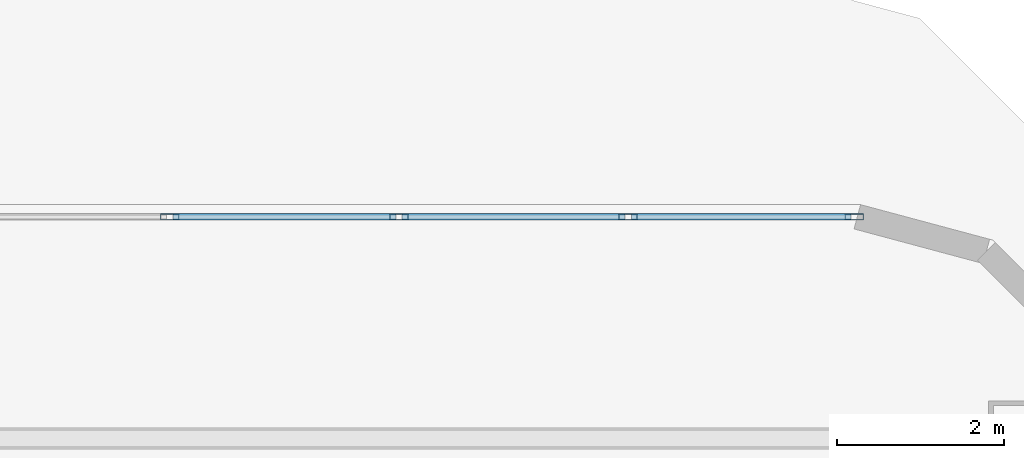
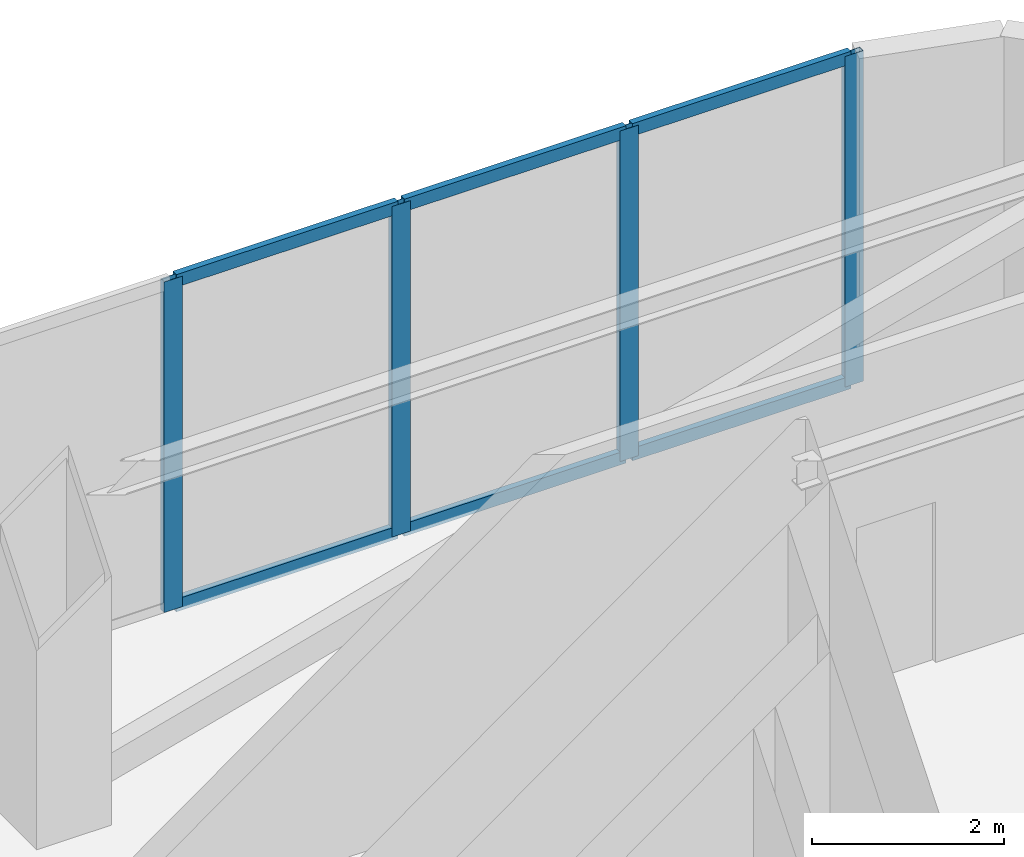
# One storey, part 7 of 14: 10 members, 1 element without a shape of its own.
"""IFC4 building model written with IfcOpenShell, lengths in metres."""

from ifc_helpers import new_model, si_unit, direction, frame, origin, origin_2d, place, context, subcontext, project, spatial, hollow_rectangle, extrude, material, layer, layer_set, material_profile, profile_set, type_object, element, aggregate, save


model = new_model("IFC4")

# Units and contexts
model_context = context("Model", 3, precision=1e-05, world=origin(), true_north=direction((0.0, 1.0)))
body_context = subcontext(model_context, "Body", "Model", "MODEL_VIEW")
ifc_project = project(units=[si_unit("LENGTHUNIT", "METRE"), si_unit("AREAUNIT", "SQUARE_METRE"), si_unit("VOLUMEUNIT", "CUBIC_METRE"), si_unit("PLANEANGLEUNIT", "RADIAN"), si_unit("MASSUNIT", "GRAM", prefix="KILO")], contexts=[model_context])

# Site, building, storey
site_placement = place(None, origin())
site = spatial("IfcSite", under=ifc_project, at=site_placement, CompositionType="ELEMENT")
building_placement = place(site_placement, origin())
building = spatial("IfcBuilding", under=site, at=building_placement, Name="Kiyonajd Concourse Tower", CompositionType="ELEMENT")
storey_placement = place(building_placement, frame((0.0, 0.0, 354.89990234375)))
storey = spatial("IfcBuildingStorey", under=building, at=storey_placement, Name="L89", CompositionType="ELEMENT", Elevation=354.89990234375)

# Curtain wall, members
ifc_material = material(Name="Thermally Broken Anodised Aluminium", Category="aluminium")
ifc_layer = layer(ifc_material, 0.179931640625)
ifc_layer_set = layer_set([ifc_layer], Name="Thermally Broken Anodised Aluminium")
curtain_wall_type = type_object("IfcCurtainWallType", Name="CW-SYS-06", PredefinedType="NOTDEFINED", material=ifc_layer_set)
curtain_wall_placement = place(storey_placement, origin())
curtain_wall = element("IfcCurtainWall", 1, at=curtain_wall_placement, inside=storey, type_object=curtain_wall_type, Name="L89 Unitised Curtain Wall CW6", PredefinedType="NOTDEFINED")
ifc_material_profile_1 = material_profile(ifc_material, hollow_rectangle(XDim=0.074951171875, YDim=0.219970703125, WallThickness=0.0048828125, at=origin_2d()), Name="MULL-75x220")
ifc_profile_set_1 = profile_set([ifc_material_profile_1], Name="Thermally Broken Anodised Aluminium")
member_type_1 = type_object("IfcMemberType", Name="MB-CW-MULL2", PredefinedType="MULLION", material=ifc_profile_set_1)
member_1_placement = place(storey_placement, frame((59.35986328125, 50.25, 0.0), z_axis=(0.0, 0.0, 1.0), x_axis=(0.0, 1.0, 0.0)))
member_1 = element("IfcMember", 2, at=member_1_placement, type_object=member_type_1, Name="CW6 mullion 2", PredefinedType="MULLION", context=body_context, shape_type="SweptSolid", body=[
    extrude(hollow_rectangle(XDim=0.074951171875, YDim=0.219970703125, WallThickness=0.0048828125, at=origin_2d()), origin(), (0.0, 0.0, 1.0), 4.2001953125),
])
member_2_placement = place(storey_placement, frame((62.10009765625, 50.25, 0.0), z_axis=(0.0, 0.0, 1.0), x_axis=(0.0, 1.0, 0.0)))
member_2 = element("IfcMember", 3, at=member_2_placement, type_object=member_type_1, Name="CW6 mullion 3", PredefinedType="MULLION", context=body_context, shape_type="SweptSolid", body=[
    extrude(hollow_rectangle(XDim=0.074951171875, YDim=0.219970703125, WallThickness=0.0048828125, at=origin_2d()), origin(), (0.0, 0.0, 1.0), 4.2001953125),
])
member_3_placement = place(storey_placement, frame((64.840087890625, 50.25, 0.0), z_axis=(0.0, 0.0, 1.0), x_axis=(0.0, 1.0, 0.0)))
member_3 = element("IfcMember", 4, at=member_3_placement, type_object=member_type_1, Name="CW6 mullion 4", PredefinedType="MULLION", context=body_context, shape_type="SweptSolid", body=[
    extrude(hollow_rectangle(XDim=0.074951171875, YDim=0.219970703125, WallThickness=0.0048828125, at=origin_2d()), origin(), (0.0, 0.0, 1.0), 4.2001953125),
])
member_4_placement = place(storey_placement, frame((67.542724609375, 50.25, 0.0), z_axis=(0.0, 0.0, 1.0), x_axis=(0.0, 1.0, 0.0)))
member_4 = element("IfcMember", 5, at=member_4_placement, type_object=member_type_1, Name="CW6 mullion 5", PredefinedType="MULLION", context=body_context, shape_type="SweptSolid", body=[
    extrude(hollow_rectangle(XDim=0.074951171875, YDim=0.219970703125, WallThickness=0.0048828125, at=origin_2d()), origin(), (0.0, 0.0, 1.0), 4.2001953125),
])
ifc_material_profile_2 = material_profile(ifc_material, hollow_rectangle(XDim=0.074951171875, YDim=0.159912109375, WallThickness=0.0048828125, at=origin_2d()), Name="TRAN-75x160")
ifc_profile_set_2 = profile_set([ifc_material_profile_2], Name="Thermally Broken Anodised Aluminium")
member_type_2 = type_object("IfcMemberType", Name="MB-CW-TRAN2", PredefinedType="USERDEFINED", material=ifc_profile_set_2)
member_5_placement = place(storey_placement, frame((59.3974609375, 50.25, 0.03759765625), z_axis=(1.0, 0.0, 0.0), x_axis=(0.0, 1.0, 0.0)))
member_5 = element("IfcMember", 6, at=member_5_placement, type_object=member_type_2, Name="CW6 transom 2.1", ObjectType="TRANSOM", PredefinedType="USERDEFINED", context=body_context, shape_type="SweptSolid", body=[
    extrude(hollow_rectangle(XDim=0.074951171875, YDim=0.159912109375, WallThickness=0.0048828125, at=origin_2d()), origin(), (0.0, 0.0, 1.0), 2.6650390625),
])
member_6_placement = place(storey_placement, frame((59.3974609375, 50.25, 4.16259765625), z_axis=(1.0, 0.0, 0.0), x_axis=(0.0, 1.0, 0.0)))
member_6 = element("IfcMember", 7, at=member_6_placement, type_object=member_type_2, Name="CW6 transom 2.2", ObjectType="TRANSOM", PredefinedType="USERDEFINED", context=body_context, shape_type="SweptSolid", body=[
    extrude(hollow_rectangle(XDim=0.074951171875, YDim=0.159912109375, WallThickness=0.0048828125, at=origin_2d()), origin(), (0.0, 0.0, 1.0), 2.6650390625),
])
member_7_placement = place(storey_placement, frame((62.137451171875, 50.25, 0.03759765625), z_axis=(1.0, 0.0, 0.0), x_axis=(0.0, 1.0, 0.0)))
member_7 = element("IfcMember", 8, at=member_7_placement, type_object=member_type_2, Name="CW6 transom 3.1", ObjectType="TRANSOM", PredefinedType="USERDEFINED", context=body_context, shape_type="SweptSolid", body=[
    extrude(hollow_rectangle(XDim=0.074951171875, YDim=0.159912109375, WallThickness=0.0048828125, at=origin_2d()), origin(), (0.0, 0.0, 1.0), 2.6650390625),
])
member_8_placement = place(storey_placement, frame((62.137451171875, 50.25, 4.16259765625), z_axis=(1.0, 0.0, 0.0), x_axis=(0.0, 1.0, 0.0)))
member_8 = element("IfcMember", 9, at=member_8_placement, type_object=member_type_2, Name="CW6 transom 3.2", ObjectType="TRANSOM", PredefinedType="USERDEFINED", context=body_context, shape_type="SweptSolid", body=[
    extrude(hollow_rectangle(XDim=0.074951171875, YDim=0.159912109375, WallThickness=0.0048828125, at=origin_2d()), origin(), (0.0, 0.0, 1.0), 2.6650390625),
])
member_9_placement = place(storey_placement, frame((64.877685546875, 50.25, 0.03759765625), z_axis=(1.0, 0.0, 0.0), x_axis=(0.0, 1.0, 0.0)))
member_9 = element("IfcMember", 10, at=member_9_placement, type_object=member_type_2, Name="CW6 transom 4.1", ObjectType="TRANSOM", PredefinedType="USERDEFINED", context=body_context, shape_type="SweptSolid", body=[
    extrude(hollow_rectangle(XDim=0.074951171875, YDim=0.159912109375, WallThickness=0.0048828125, at=origin_2d()), origin(), (0.0, 0.0, 1.0), 2.62744140625),
])
member_10_placement = place(storey_placement, frame((64.877685546875, 50.25, 4.16259765625), z_axis=(1.0, 0.0, 0.0), x_axis=(0.0, 1.0, 0.0)))
member_10 = element("IfcMember", 11, at=member_10_placement, type_object=member_type_2, Name="CW6 transom 4.2", ObjectType="TRANSOM", PredefinedType="USERDEFINED", context=body_context, shape_type="SweptSolid", body=[
    extrude(hollow_rectangle(XDim=0.074951171875, YDim=0.159912109375, WallThickness=0.0048828125, at=origin_2d()), origin(), (0.0, 0.0, 1.0), 2.62744140625),
])
aggregate(curtain_wall, [member_1, member_2, member_3, member_4, member_5, member_6, member_7, member_8, member_9, member_10])

save(model, "model.ifc")
